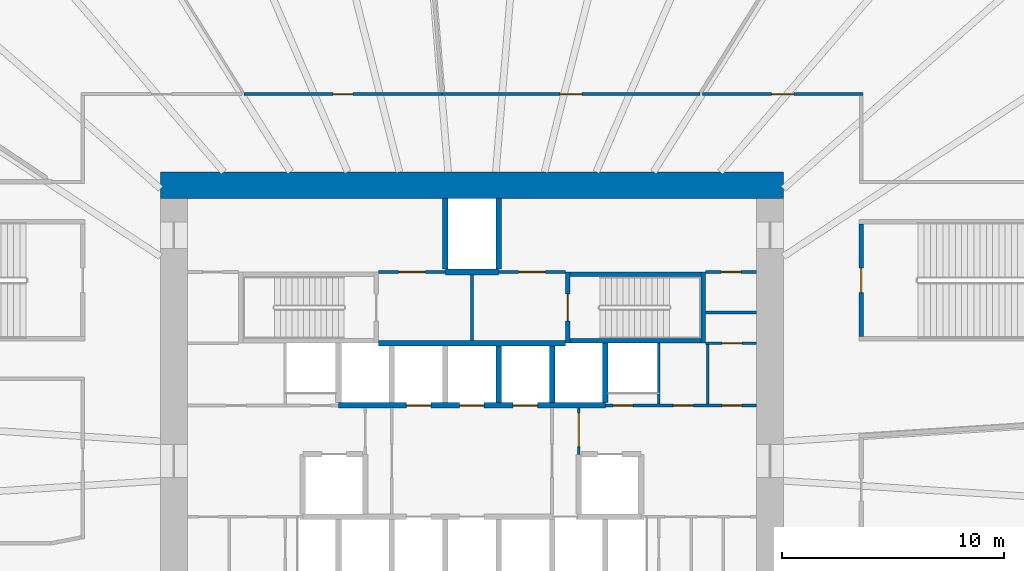
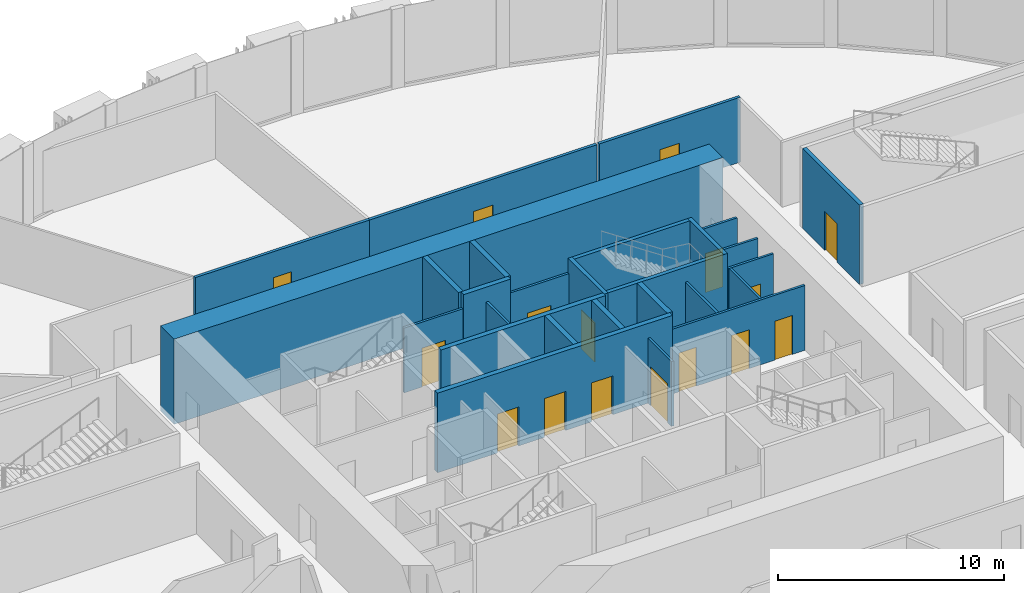
# One storey, part 9 of 21: 27 walls, 16 doors, 16 openings.
"""IFC4 building model written with IfcOpenShell, lengths in metres."""

from ifc_helpers import new_model, si_unit, direction, frame, frame_2d, origin, place, context, subcontext, project, spatial, rectangle, extrude, source, transform, mapped, material, layer, layer_set, type_object, element, fill, save


model = new_model("IFC4")

# Units and contexts
model_context = context("Model", 3, precision=1e-05, world=origin(), true_north=direction((0.0, 1.0)))
body_context = subcontext(model_context, "Body", "Model", "MODEL_VIEW")
ifc_project = project(units=[si_unit("LENGTHUNIT", "METRE"), si_unit("AREAUNIT", "SQUARE_METRE"), si_unit("VOLUMEUNIT", "CUBIC_METRE"), si_unit("PLANEANGLEUNIT", "RADIAN"), si_unit("MASSUNIT", "GRAM", prefix="KILO")], contexts=[model_context])

# Site, building, storey
site_placement = place(None, origin())
site = spatial("IfcSite", under=ifc_project, at=site_placement, CompositionType="ELEMENT")
building_placement = place(site_placement, origin())
building = spatial("IfcBuilding", under=site, at=building_placement, Name="Embergate Tower", CompositionType="ELEMENT")
storey_placement = place(building_placement, frame((0.0, 0.0, 33.5)))
storey = spatial("IfcBuildingStorey", under=building, at=storey_placement, Name="L04", CompositionType="ELEMENT", Elevation=33.5)

# Walls
ifc_material_1 = material(Name="Concrete C80", Category="concrete")
ifc_layer_1 = layer(ifc_material_1, 1.199951171875)
ifc_layer_set_1 = layer_set([ifc_layer_1], Name="Concrete C80")
wall_type_1 = type_object("IfcWallType", Name="Core outer wall C80 1200", PredefinedType="SHEAR", material=ifc_layer_set_1)
shared_shape_1 = source(origin(), body_context, "Body", "SweptSolid", [
    extrude(rectangle(XDim=28.0, YDim=1.199951171875, at=frame_2d((14.0, 0.0))), origin(), (0.0, 0.0, 1.0), 4.60009765625),
])
wall_1_placement = place(storey_placement, frame((-14.0, 12.39990234375, -0.300048828125), z_axis=(0.0, 0.0, 1.0), x_axis=(1.0, 0.0, 0.0)))
element("IfcWall", 1, at=wall_1_placement, inside=storey, type_object=wall_type_1, Name="CW-L04-N", PredefinedType="SHEAR", context=body_context, shape_type="MappedRepresentation", body=[
    mapped(shared_shape_1, transform((0.0, 0.0, 0.0))),
])
ifc_material_2 = material(Name="Concrete C50", Category="concrete")
ifc_layer_2 = layer(ifc_material_2, 0.25)
ifc_layer_set_2 = layer_set([ifc_layer_2], Name="Concrete C50")
wall_type_2 = type_object("IfcWallType", Name="Hoistway wall reinforced concrete 250", PredefinedType="SHEAR", material=ifc_layer_set_2)
shared_shape_2 = source(origin(), body_context, "Body", "SweptSolid", [
    extrude(rectangle(XDim=2.675048828125, YDim=0.25, at=frame_2d((1.33740234375, 0.0))), origin(), (0.0, 0.0, 1.0), 4.300048828125),
])
wall_2_placement = place(storey_placement, frame((6.0, 2.625, 0.0), z_axis=(0.0, 0.0, 1.0), x_axis=(0.0, 1.0, 0.0)))
element("IfcWall", 2, at=wall_2_placement, inside=storey, type_object=wall_type_2, Name="HW-1 wall", PredefinedType="SHEAR", context=body_context, shape_type="MappedRepresentation", body=[
    mapped(shared_shape_2, transform((0.0, 0.0, 0.0))),
])

# Wall, openings, doors
ifc_material_3 = material(Name="Core partition blockwork 120")
ifc_layer_3 = layer(ifc_material_3, 0.1201171875)
ifc_layer_set_3 = layer_set([ifc_layer_3], Name="Core partition blockwork 120")
wall_type_3 = type_object("IfcWallType", Name="Core partition blockwork 120", PredefinedType="PARTITIONING", material=ifc_layer_set_3)
shared_shape_3 = source(origin(), body_context, "Body", "SweptSolid", [
    extrude(rectangle(XDim=6.800048828125, YDim=0.1201171875, at=frame_2d((3.39990234375, 0.0))), origin(), (0.0, 0.0, 1.0), 3.5),
])
wall_3_placement = place(storey_placement, frame((6.0, 2.5, 0.0), z_axis=(0.0, 0.0, 1.0), x_axis=(1.0, 0.0, 0.0)))
wall_3 = element("IfcWall", 3, at=wall_3_placement, inside=storey, type_object=wall_type_3, Name="IP-3 wall", PredefinedType="PARTITIONING", context=body_context, shape_type="MappedRepresentation", body=[
    mapped(shared_shape_3, transform((0.0, 0.0, 0.0))),
])
shared_shape_4 = source(origin(), body_context, "Body", "SweptSolid", [
    extrude(rectangle(XDim=0.89990234375, YDim=2.10009765625, at=frame_2d((0.449951171875, 1.050048828125))), frame((0.0, 0.070068359375, 0.0), z_axis=(0.0, -1.0, 0.0), x_axis=(1.0, 0.0, 0.0)), (0.0, 0.0, 1.0), 0.14013671875),
])
opening_1_placement = place(wall_3_placement, frame((0.35009765625, 0.0, 0.0)))
opening_1 = element("IfcOpeningElement", 4, at=opening_1_placement, cuts=wall_3, Name="Opening ID-1", PredefinedType="OPENING", context=body_context, shape_type="MappedRepresentation", body=[
    mapped(shared_shape_4, transform((0.0, 0.0, 0.0))),
])
opening_2_placement = place(wall_3_placement, frame((3.050048828125, 0.0, 0.0)))
opening_2 = element("IfcOpeningElement", 5, at=opening_2_placement, cuts=wall_3, Name="Opening ID-1", PredefinedType="OPENING", context=body_context, shape_type="MappedRepresentation", body=[
    mapped(shared_shape_4, transform((0.0, 0.0, 0.0))),
])
opening_3_placement = place(wall_3_placement, frame((5.25, 0.0, 0.0)))
opening_3 = element("IfcOpeningElement", 6, at=opening_3_placement, cuts=wall_3, Name="Opening ID-1", PredefinedType="OPENING", context=body_context, shape_type="MappedRepresentation", body=[
    mapped(shared_shape_4, transform((0.0, 0.0, 0.0))),
])
ifc_material_4 = material(Name="Interior door 900")
door_type_1 = type_object("IfcDoorType", Name="Interior door 900", OperationType="SINGLE_SWING_LEFT", PredefinedType="DOOR", material=ifc_material_4)
shared_shape_5 = source(origin(), body_context, "Body", "SweptSolid", [
    extrude(rectangle(XDim=0.89990234375, YDim=2.10009765625, at=frame_2d((0.449951171875, 1.050048828125))), frame((0.0, 0.02490234375, 0.0), z_axis=(0.0, -1.0, 0.0), x_axis=(1.0, 0.0, 0.0)), (0.0, 0.0, 1.0), 0.050048828125),
])
door_1_placement = place(opening_1_placement, origin())
door_1 = element("IfcDoor", 7, at=door_1_placement, inside=storey, type_object=door_type_1, Name="ID-1 door", OperationType="SINGLE_SWING_RIGHT", OverallHeight=2.10009765625, OverallWidth=0.89990234375, PredefinedType="DOOR", context=body_context, shape_type="MappedRepresentation", body=[
    mapped(shared_shape_5, transform((0.0, 0.0, 0.0))),
])
fill(opening_1, door_1)
door_2_placement = place(opening_2_placement, origin())
door_2 = element("IfcDoor", 8, at=door_2_placement, inside=storey, type_object=door_type_1, Name="ID-1 door", OperationType="SINGLE_SWING_LEFT", OverallHeight=2.10009765625, OverallWidth=0.89990234375, PredefinedType="DOOR", context=body_context, shape_type="MappedRepresentation", body=[
    mapped(shared_shape_5, transform((0.0, 0.0, 0.0))),
])
fill(opening_2, door_2)
door_3_placement = place(opening_3_placement, origin())
door_3 = element("IfcDoor", 9, at=door_3_placement, inside=storey, type_object=door_type_1, Name="ID-1 door", OperationType="SINGLE_SWING_LEFT", OverallHeight=2.10009765625, OverallWidth=0.89990234375, PredefinedType="DOOR", context=body_context, shape_type="MappedRepresentation", body=[
    mapped(shared_shape_5, transform((0.0, 0.0, 0.0))),
])
fill(opening_3, door_3)

# Walls
ifc_layer_4 = layer(ifc_material_2, 0.199951171875)
ifc_layer_set_4 = layer_set([ifc_layer_4], Name="Concrete C50")
wall_type_4 = type_object("IfcWallType", Name="Stair enclosure wall reinforced concrete 250", PredefinedType="SHEAR", material=ifc_layer_set_4)
shared_shape_6 = source(origin(), body_context, "Body", "SweptSolid", [
    extrude(rectangle(XDim=6.300048828125, YDim=0.199951171875, at=frame_2d((3.14990234375, 0.0))), origin(), (0.0, 0.0, 1.0), 4.300048828125),
])
for number, where, z_axis, x_axis, name in (
    (10, (10.5, 5.39990234375, 0.0), (0.0, 0.0, 1.0), (-1.0, 0.0, 0.0), "SE-1 wall"),
    (11, (10.5, 8.39990234375, 0.0), (0.0, 0.0, 1.0), (-1.0, 0.0, 0.0), "SE-1 wall"),
):
    element("IfcWall", number, at=place(storey_placement, frame(where, z_axis=z_axis, x_axis=x_axis)), inside=storey, type_object=wall_type_4, Name=name, PredefinedType="SHEAR", context=body_context, shape_type="MappedRepresentation", body=[
        mapped(shared_shape_6, transform((0.0, 0.0, 0.0))),
    ])
shared_shape_7 = source(origin(), body_context, "Body", "SweptSolid", [
    extrude(rectangle(XDim=2.739990234375, YDim=0.1201171875, at=frame_2d((1.3701171875, 0.0))), origin(), (0.0, 0.0, 1.0), 3.5),
])
wall_4_placement = place(storey_placement, frame((8.39990234375, 2.56005859375, 0.0), z_axis=(0.0, 0.0, 1.0), x_axis=(0.0, 1.0, 0.0)))
element("IfcWall", 12, at=wall_4_placement, inside=storey, type_object=wall_type_3, Name="IP-3 wall", PredefinedType="PARTITIONING", context=body_context, shape_type="MappedRepresentation", body=[
    mapped(shared_shape_7, transform((0.0, 0.0, 0.0))),
])
shared_shape_8 = source(origin(), body_context, "Body", "SweptSolid", [
    extrude(rectangle(XDim=2.550048828125, YDim=0.25, at=frame_2d((1.27490234375, 0.0))), origin(), (0.0, 0.0, 1.0), 4.300048828125),
])
for number, where, z_axis, x_axis, name in (
    (13, (1.199951171875, 2.625, 0.0), (0.0, 0.0, 1.0), (0.0, 1.0, 0.0), "HW-1 wall"),
    (14, (3.60009765625, 2.625, 0.0), (0.0, 0.0, 1.0), (0.0, 1.0, 0.0), "HW-1 wall"),
):
    element("IfcWall", number, at=place(storey_placement, frame(where, z_axis=z_axis, x_axis=x_axis)), inside=storey, type_object=wall_type_2, Name=name, PredefinedType="SHEAR", context=body_context, shape_type="MappedRepresentation", body=[
        mapped(shared_shape_8, transform((0.0, 0.0, 0.0))),
    ])

# Wall, openings, doors
shared_shape_9 = source(origin(), body_context, "Body", "SweptSolid", [
    extrude(rectangle(XDim=12.0, YDim=0.25, at=frame_2d((6.0, 0.0))), origin(), (0.0, 0.0, 1.0), 4.300048828125),
])
wall_5_placement = place(storey_placement, frame((-6.0, 2.5, 0.0), z_axis=(0.0, 0.0, 1.0), x_axis=(1.0, 0.0, 0.0)))
wall_5 = element("IfcWall", 15, at=wall_5_placement, inside=storey, type_object=wall_type_2, Name="HW-1 wall", PredefinedType="SHEAR", context=body_context, shape_type="MappedRepresentation", body=[
    mapped(shared_shape_9, transform((0.0, 0.0, 0.0))),
])
shared_shape_10 = source(origin(), body_context, "Body", "SweptSolid", [
    extrude(rectangle(XDim=1.10009765625, YDim=2.10009765625, at=frame_2d((0.550048828125, 1.050048828125))), frame((0.0, 0.135009765625, 0.0), z_axis=(0.0, -1.0, 0.0), x_axis=(1.0, 0.0, 0.0)), (0.0, 0.0, 1.0), 0.27001953125),
])
opening_4_placement = place(wall_5_placement, frame((3.050048828125, 0.0, 0.0)))
opening_4 = element("IfcOpeningElement", 16, at=opening_4_placement, cuts=wall_5, Name="Opening LD", PredefinedType="OPENING", context=body_context, shape_type="MappedRepresentation", body=[
    mapped(shared_shape_10, transform((0.0, 0.0, 0.0))),
])
opening_5_placement = place(wall_5_placement, frame((5.449951171875, 0.0, 0.0)))
opening_5 = element("IfcOpeningElement", 17, at=opening_5_placement, cuts=wall_5, Name="Opening LD", PredefinedType="OPENING", context=body_context, shape_type="MappedRepresentation", body=[
    mapped(shared_shape_10, transform((0.0, 0.0, 0.0))),
])
opening_6_placement = place(wall_5_placement, frame((7.85009765625, 0.0, 0.0)))
opening_6 = element("IfcOpeningElement", 18, at=opening_6_placement, cuts=wall_5, Name="Opening LD", PredefinedType="OPENING", context=body_context, shape_type="MappedRepresentation", body=[
    mapped(shared_shape_10, transform((0.0, 0.0, 0.0))),
])
ifc_material_5 = material(Name="Landing door sliding 1100")
door_type_2 = type_object("IfcDoorType", Name="Landing door sliding 1100", OperationType="SLIDING_TO_LEFT", PredefinedType="DOOR", material=ifc_material_5)
shared_shape_11 = source(origin(), body_context, "Body", "SweptSolid", [
    extrude(rectangle(XDim=1.10009765625, YDim=2.10009765625, at=frame_2d((0.550048828125, 1.050048828125))), frame((0.0, 0.02490234375, 0.0), z_axis=(0.0, -1.0, 0.0), x_axis=(1.0, 0.0, 0.0)), (0.0, 0.0, 1.0), 0.050048828125),
])
door_4_placement = place(opening_4_placement, origin())
door_4 = element("IfcDoor", 19, at=door_4_placement, inside=storey, type_object=door_type_2, Name="LD door", OperationType="SLIDING_TO_LEFT", OverallHeight=2.10009765625, OverallWidth=1.10009765625, PredefinedType="DOOR", context=body_context, shape_type="MappedRepresentation", body=[
    mapped(shared_shape_11, transform((0.0, 0.0, 0.0))),
])
fill(opening_4, door_4)
door_5_placement = place(opening_5_placement, origin())
door_5 = element("IfcDoor", 20, at=door_5_placement, inside=storey, type_object=door_type_2, Name="LD door", OperationType="SLIDING_TO_LEFT", OverallHeight=2.10009765625, OverallWidth=1.10009765625, PredefinedType="DOOR", context=body_context, shape_type="MappedRepresentation", body=[
    mapped(shared_shape_11, transform((0.0, 0.0, 0.0))),
])
fill(opening_5, door_5)
door_6_placement = place(opening_6_placement, origin())
door_6 = element("IfcDoor", 21, at=door_6_placement, inside=storey, type_object=door_type_2, Name="LD door", OperationType="SLIDING_TO_LEFT", OverallHeight=2.10009765625, OverallWidth=1.10009765625, PredefinedType="DOOR", context=body_context, shape_type="MappedRepresentation", body=[
    mapped(shared_shape_11, transform((0.0, 0.0, 0.0))),
])
fill(opening_6, door_6)

# Wall
shared_shape_12 = source(origin(), body_context, "Body", "SweptSolid", [
    extrude(rectangle(XDim=8.39990234375, YDim=0.25, at=frame_2d((4.199951171875, 0.0))), origin(), (0.0, 0.0, 1.0), 4.300048828125),
])
wall_6_placement = place(storey_placement, frame((4.199951171875, 5.300048828125, 0.0), z_axis=(0.0, 0.0, 1.0), x_axis=(-1.0, 0.0, 0.0)))
element("IfcWall", 22, at=wall_6_placement, inside=storey, type_object=wall_type_2, Name="HW-1 wall", PredefinedType="SHEAR", context=body_context, shape_type="MappedRepresentation", body=[
    mapped(shared_shape_12, transform((0.0, 0.0, 0.0))),
])

# Wall, opening, door
shared_shape_13 = source(origin(), body_context, "Body", "SweptSolid", [
    extrude(rectangle(XDim=2.074951171875, YDim=0.1201171875, at=frame_2d((1.03759765625, 0.0))), origin(), (0.0, 0.0, 1.0), 3.5),
])
wall_7_placement = place(storey_placement, frame((4.800048828125, 0.300048828125, 0.0), z_axis=(0.0, 0.0, 1.0), x_axis=(0.0, 1.0, 0.0)))
wall_7 = element("IfcWall", 23, at=wall_7_placement, inside=storey, type_object=wall_type_3, Name="IP-3 wall", PredefinedType="PARTITIONING", context=body_context, shape_type="MappedRepresentation", body=[
    mapped(shared_shape_13, transform((0.0, 0.0, 0.0))),
])
shared_shape_14 = source(origin(), body_context, "Body", "SweptSolid", [
    extrude(rectangle(XDim=1.5, YDim=2.10009765625, at=frame_2d((0.75, 1.050048828125))), frame((0.0, 0.070068359375, 0.0), z_axis=(0.0, -1.0, 0.0), x_axis=(1.0, 0.0, 0.0)), (0.0, 0.0, 1.0), 0.14013671875),
])
opening_7_placement = place(wall_7_placement, frame((0.35009765625, 0.0, 0.0)))
opening_7 = element("IfcOpeningElement", 24, at=opening_7_placement, cuts=wall_7, Name="Opening IF-3", PredefinedType="OPENING", context=body_context, shape_type="MappedRepresentation", body=[
    mapped(shared_shape_14, transform((0.0, 0.0, 0.0))),
])
ifc_material_6 = material(Name="Lobby fire door pair 1500")
door_type_3 = type_object("IfcDoorType", Name="Lobby fire door pair 1500", OperationType="DOUBLE_DOOR_SINGLE_SWING", PredefinedType="DOOR", material=ifc_material_6)
shared_shape_15 = source(origin(), body_context, "Body", "SweptSolid", [
    extrude(rectangle(XDim=1.5, YDim=2.10009765625, at=frame_2d((0.75, 1.050048828125))), frame((0.0, 0.02490234375, 0.0), z_axis=(0.0, -1.0, 0.0), x_axis=(1.0, 0.0, 0.0)), (0.0, 0.0, 1.0), 0.050048828125),
])
door_7_placement = place(opening_7_placement, origin())
door_7 = element("IfcDoor", 25, at=door_7_placement, inside=storey, type_object=door_type_3, Name="IF-3 door", OperationType="DOUBLE_DOOR_SINGLE_SWING", OverallHeight=2.10009765625, OverallWidth=1.5, PredefinedType="DOOR", context=body_context, shape_type="MappedRepresentation", body=[
    mapped(shared_shape_15, transform((0.0, 0.0, 0.0))),
])
fill(opening_7, door_7)

shared_shape_16 = source(origin(), body_context, "Body", "SweptSolid", [
    extrude(rectangle(XDim=3.199951171875, YDim=0.199951171875, at=frame_2d((1.60009765625, 0.0))), origin(), (0.0, 0.0, 1.0), 4.300048828125),
])
wall_8_placement = place(storey_placement, frame((4.300048828125, 8.5, 0.0), z_axis=(0.0, 0.0, 1.0), x_axis=(0.0, -1.0, 0.0)))
wall_8 = element("IfcWall", 26, at=wall_8_placement, inside=storey, type_object=wall_type_4, Name="SE-1 wall", PredefinedType="SHEAR", context=body_context, shape_type="MappedRepresentation", body=[
    mapped(shared_shape_16, transform((0.0, 0.0, 0.0))),
])
shared_shape_17 = source(origin(), body_context, "Body", "SweptSolid", [
    extrude(rectangle(XDim=1.199951171875, YDim=2.10009765625, at=frame_2d((0.60009765625, 1.050048828125))), frame((0.0, 0.10986328125, 0.0), z_axis=(0.0, -1.0, 0.0), x_axis=(1.0, 0.0, 0.0)), (0.0, 0.0, 1.0), 0.219970703125),
])
opening_8_placement = place(wall_8_placement, frame((1.0, 0.0, 0.0)))
opening_8 = element("IfcOpeningElement", 27, at=opening_8_placement, cuts=wall_8, Name="Opening IF-2", PredefinedType="OPENING", context=body_context, shape_type="MappedRepresentation", body=[
    mapped(shared_shape_17, transform((0.0, 0.0, 0.0))),
])
ifc_material_7 = material(Name="Stair enclosure door 1200")
door_type_4 = type_object("IfcDoorType", Name="Stair enclosure door 1200", OperationType="SINGLE_SWING_LEFT", PredefinedType="DOOR", material=ifc_material_7)
shared_shape_18 = source(origin(), body_context, "Body", "SweptSolid", [
    extrude(rectangle(XDim=1.199951171875, YDim=2.10009765625, at=frame_2d((0.60009765625, 1.050048828125))), frame((0.0, 0.02490234375, 0.0), z_axis=(0.0, -1.0, 0.0), x_axis=(1.0, 0.0, 0.0)), (0.0, 0.0, 1.0), 0.050048828125),
])
door_8_placement = place(opening_8_placement, origin())
door_8 = element("IfcDoor", 28, at=door_8_placement, inside=storey, type_object=door_type_4, Name="IF-2 door", OperationType="SINGLE_SWING_RIGHT", OverallHeight=2.10009765625, OverallWidth=1.199951171875, PredefinedType="DOOR", context=body_context, shape_type="MappedRepresentation", body=[
    mapped(shared_shape_18, transform((0.0, 0.0, 0.0))),
])
fill(opening_8, door_8)

# Walls
wall_9_placement = place(storey_placement, frame((10.39990234375, 5.300048828125, 0.0), z_axis=(0.0, 0.0, 1.0), x_axis=(0.0, 1.0, 0.0)))
element("IfcWall", 29, at=wall_9_placement, inside=storey, type_object=wall_type_4, Name="SE-1 wall", PredefinedType="SHEAR", context=body_context, shape_type="MappedRepresentation", body=[
    mapped(shared_shape_16, transform((0.0, 0.0, 0.0))),
])
shared_shape_19 = source(origin(), body_context, "Body", "SweptSolid", [
    extrude(rectangle(XDim=2.949951171875, YDim=0.1201171875, at=frame_2d((1.47509765625, 0.0))), origin(), (0.0, 0.0, 1.0), 3.5),
])
wall_10_placement = place(storey_placement, frame((0.0, 5.425048828125, 0.0), z_axis=(0.0, 0.0, 1.0), x_axis=(0.0, 1.0, 0.0)))
element("IfcWall", 30, at=wall_10_placement, inside=storey, type_object=wall_type_3, Name="IP-3 wall", PredefinedType="PARTITIONING", context=body_context, shape_type="MappedRepresentation", body=[
    mapped(shared_shape_19, transform((0.0, 0.0, 0.0))),
])

# Wall, opening, door
shared_shape_20 = source(origin(), body_context, "Body", "SweptSolid", [
    extrude(rectangle(XDim=3.0, YDim=0.1201171875, at=frame_2d((1.5, 0.0))), origin(), (0.0, 0.0, 1.0), 3.5),
])
wall_11_placement = place(storey_placement, frame((-1.199951171875, 8.5, 0.0), z_axis=(0.0, 0.0, 1.0), x_axis=(-1.0, 0.0, 0.0)))
wall_11 = element("IfcWall", 31, at=wall_11_placement, inside=storey, type_object=wall_type_3, Name="IP-3 wall", PredefinedType="PARTITIONING", context=body_context, shape_type="MappedRepresentation", body=[
    mapped(shared_shape_20, transform((0.0, 0.0, 0.0))),
])
shared_shape_21 = source(origin(), body_context, "Body", "SweptSolid", [
    extrude(rectangle(XDim=1.199951171875, YDim=2.10009765625, at=frame_2d((0.60009765625, 1.050048828125))), frame((0.0, 0.070068359375, 0.0), z_axis=(0.0, -1.0, 0.0), x_axis=(1.0, 0.0, 0.0)), (0.0, 0.0, 1.0), 0.14013671875),
])
opening_9_placement = place(wall_11_placement, frame((0.89990234375, 0.0, 0.0)))
opening_9 = element("IfcOpeningElement", 32, at=opening_9_placement, cuts=wall_11, Name="Opening IF-3f", PredefinedType="OPENING", context=body_context, shape_type="MappedRepresentation", body=[
    mapped(shared_shape_21, transform((0.0, 0.0, 0.0))),
])
ifc_material_8 = material(Name="Lobby fire door pair 1200")
door_type_5 = type_object("IfcDoorType", Name="Lobby fire door pair 1200", OperationType="DOUBLE_DOOR_SINGLE_SWING", PredefinedType="DOOR", material=ifc_material_8)
door_9_placement = place(opening_9_placement, origin())
door_9 = element("IfcDoor", 33, at=door_9_placement, inside=storey, type_object=door_type_5, Name="IF-3 door", OperationType="DOUBLE_DOOR_SINGLE_SWING", OverallHeight=2.10009765625, OverallWidth=1.199951171875, PredefinedType="DOOR", context=body_context, shape_type="MappedRepresentation", body=[
    mapped(shared_shape_18, transform((0.0, 0.0, 0.0))),
])
fill(opening_9, door_9)

wall_12_placement = place(storey_placement, frame((4.199951171875, 8.5, 0.0), z_axis=(0.0, 0.0, 1.0), x_axis=(-1.0, 0.0, 0.0)))
wall_12 = element("IfcWall", 34, at=wall_12_placement, inside=storey, type_object=wall_type_3, Name="IP-3 wall", PredefinedType="PARTITIONING", context=body_context, shape_type="MappedRepresentation", body=[
    mapped(shared_shape_20, transform((0.0, 0.0, 0.0))),
])
opening_10_placement = place(wall_12_placement, frame((0.89990234375, 0.0, 0.0)))
opening_10 = element("IfcOpeningElement", 35, at=opening_10_placement, cuts=wall_12, Name="Opening IF-3f", PredefinedType="OPENING", context=body_context, shape_type="MappedRepresentation", body=[
    mapped(shared_shape_21, transform((0.0, 0.0, 0.0))),
])
door_10_placement = place(opening_10_placement, origin())
door_10 = element("IfcDoor", 36, at=door_10_placement, inside=storey, type_object=door_type_5, Name="IF-3 door", OperationType="DOUBLE_DOOR_SINGLE_SWING", OverallHeight=2.10009765625, OverallWidth=1.199951171875, PredefinedType="DOOR", context=body_context, shape_type="MappedRepresentation", body=[
    mapped(shared_shape_18, transform((0.0, 0.0, 0.0))),
])
fill(opening_10, door_10)

# Walls
shared_shape_22 = source(origin(), body_context, "Body", "SweptSolid", [
    extrude(rectangle(XDim=2.39990234375, YDim=0.25, at=frame_2d((1.199951171875, 0.0))), origin(), (0.0, 0.0, 1.0), 4.300048828125),
])
wall_13_placement = place(storey_placement, frame((1.199951171875, 8.5, 0.0), z_axis=(0.0, 0.0, 1.0), x_axis=(-1.0, 0.0, 0.0)))
element("IfcWall", 37, at=wall_13_placement, inside=storey, type_object=wall_type_2, Name="HW-1 wall", PredefinedType="SHEAR", context=body_context, shape_type="MappedRepresentation", body=[
    mapped(shared_shape_22, transform((0.0, 0.0, 0.0))),
])
shared_shape_23 = source(origin(), body_context, "Body", "SweptSolid", [
    extrude(rectangle(XDim=3.175048828125, YDim=0.25, at=frame_2d((1.58740234375, 0.0))), origin(), (0.0, 0.0, 1.0), 4.300048828125),
])
for number, where, z_axis, x_axis, name in (
    (38, (-1.199951171875, 8.625, 0.0), (0.0, 0.0, 1.0), (0.0, 1.0, 0.0), "HW-1 wall"),
    (39, (1.199951171875, 11.800048828125, 0.0), (0.0, 0.0, 1.0), (0.0, -1.0, 0.0), "HW-1 wall"),
):
    element("IfcWall", number, at=place(storey_placement, frame(where, z_axis=z_axis, x_axis=x_axis)), inside=storey, type_object=wall_type_2, Name=name, PredefinedType="SHEAR", context=body_context, shape_type="MappedRepresentation", body=[
        mapped(shared_shape_23, transform((0.0, 0.0, 0.0))),
    ])

# Wall, opening, door
shared_shape_24 = source(origin(), body_context, "Body", "SweptSolid", [
    extrude(rectangle(XDim=2.300048828125, YDim=0.1201171875, at=frame_2d((1.14990234375, 0.0))), origin(), (0.0, 0.0, 1.0), 3.5),
])
wall_14_placement = place(storey_placement, frame((10.5, 8.5, 0.0), z_axis=(0.0, 0.0, 1.0), x_axis=(1.0, 0.0, 0.0)))
wall_14 = element("IfcWall", 40, at=wall_14_placement, inside=storey, type_object=wall_type_3, Name="IP-3 wall", PredefinedType="PARTITIONING", context=body_context, shape_type="MappedRepresentation", body=[
    mapped(shared_shape_24, transform((0.0, 0.0, 0.0))),
])
opening_11_placement = place(wall_14_placement, frame((0.699951171875, 0.0, 0.0)))
opening_11 = element("IfcOpeningElement", 41, at=opening_11_placement, cuts=wall_14, Name="Opening ID-1", PredefinedType="OPENING", context=body_context, shape_type="MappedRepresentation", body=[
    mapped(shared_shape_4, transform((0.0, 0.0, 0.0))),
])
door_11_placement = place(opening_11_placement, origin())
door_11 = element("IfcDoor", 42, at=door_11_placement, inside=storey, type_object=door_type_1, Name="ID-1 door", OperationType="SINGLE_SWING_LEFT", OverallHeight=2.10009765625, OverallWidth=0.89990234375, PredefinedType="DOOR", context=body_context, shape_type="MappedRepresentation", body=[
    mapped(shared_shape_5, transform((0.0, 0.0, 0.0))),
])
fill(opening_11, door_11)

wall_15_placement = place(storey_placement, frame((12.800048828125, 5.300048828125, 0.0), z_axis=(0.0, 0.0, 1.0), x_axis=(-1.0, 0.0, 0.0)))
wall_15 = element("IfcWall", 43, at=wall_15_placement, inside=storey, type_object=wall_type_3, Name="IP-3 wall", PredefinedType="PARTITIONING", context=body_context, shape_type="MappedRepresentation", body=[
    mapped(shared_shape_24, transform((0.0, 0.0, 0.0))),
])
opening_12_placement = place(wall_15_placement, frame((0.64990234375, 0.0, 0.0)))
opening_12 = element("IfcOpeningElement", 44, at=opening_12_placement, cuts=wall_15, Name="Opening ID-1", PredefinedType="OPENING", context=body_context, shape_type="MappedRepresentation", body=[
    mapped(shared_shape_4, transform((0.0, 0.0, 0.0))),
])
door_12_placement = place(opening_12_placement, origin())
door_12 = element("IfcDoor", 45, at=door_12_placement, inside=storey, type_object=door_type_1, Name="ID-1 door", OperationType="SINGLE_SWING_LEFT", OverallHeight=2.10009765625, OverallWidth=0.89990234375, PredefinedType="DOOR", context=body_context, shape_type="MappedRepresentation", body=[
    mapped(shared_shape_5, transform((0.0, 0.0, 0.0))),
])
fill(opening_12, door_12)

# Walls
wall_16_placement = place(storey_placement, frame((12.800048828125, 6.676025390625, 0.0), z_axis=(0.0, 0.0, 1.0), x_axis=(-1.0, 0.0, 0.0)))
element("IfcWall", 46, at=wall_16_placement, inside=storey, type_object=wall_type_3, Name="IP-3 wall", PredefinedType="PARTITIONING", context=body_context, shape_type="MappedRepresentation", body=[
    mapped(shared_shape_24, transform((0.0, 0.0, 0.0))),
])
shared_shape_25 = source(origin(), body_context, "Body", "SweptSolid", [
    extrude(rectangle(XDim=2.679931640625, YDim=0.1201171875, at=frame_2d((1.33984375, 0.0))), origin(), (0.0, 0.0, 1.0), 3.5),
])
wall_17_placement = place(storey_placement, frame((10.60009765625, 2.56005859375, 0.0), z_axis=(0.0, 0.0, 1.0), x_axis=(0.0, 1.0, 0.0)))
element("IfcWall", 47, at=wall_17_placement, inside=storey, type_object=wall_type_3, Name="IP-3 wall", PredefinedType="PARTITIONING", context=body_context, shape_type="MappedRepresentation", body=[
    mapped(shared_shape_25, transform((0.0, 0.0, 0.0))),
])

# Wall, opening, door
ifc_material_9 = material(Name="Concrete C40", Category="concrete")
ifc_layer_5 = layer(ifc_material_9, 0.199951171875)
ifc_layer_set_5 = layer_set([ifc_layer_5], Name="Concrete C40")
wall_type_5 = type_object("IfcWallType", Name="Stair enclosure wall RC 200", PredefinedType="STANDARD", material=ifc_layer_set_5)
shared_shape_26 = source(origin(), body_context, "Body", "SweptSolid", [
    extrude(rectangle(XDim=5.0498046875, YDim=0.199951171875, at=frame_2d((2.52490234375, 0.0))), origin(), (0.0, 0.0, 1.0), 4.300048828125),
])
wall_18_placement = place(storey_placement, frame((17.5, 10.64990234375, 0.0), z_axis=(0.0, 0.0, 1.0), x_axis=(0.0, -1.0, 0.0)))
wall_18 = element("IfcWall", 48, at=wall_18_placement, inside=storey, type_object=wall_type_5, Name="Stair wall 043", PredefinedType="STANDARD", context=body_context, shape_type="MappedRepresentation", body=[
    mapped(shared_shape_26, transform((0.0, 0.0, 0.0))),
])
shared_shape_27 = source(origin(), body_context, "Body", "SweptSolid", [
    extrude(rectangle(XDim=1.10009765625, YDim=2.10009765625, at=frame_2d((0.550048828125, 1.050048828125))), frame((0.0, 0.10986328125, 0.0), z_axis=(0.0, -1.0, 0.0), x_axis=(1.0, 0.0, 0.0)), (0.0, 0.0, 1.0), 0.219970703125),
])
opening_13_placement = place(wall_18_placement, frame((1.97509765625, 0.0, 0.0)))
opening_13 = element("IfcOpeningElement", 49, at=opening_13_placement, cuts=wall_18, Name="Opening DS-100", PredefinedType="OPENING", context=body_context, shape_type="MappedRepresentation", body=[
    mapped(shared_shape_27, transform((0.0, 0.0, 0.0))),
])
ifc_material_10 = material(Name="Steel fire door leaf", Category="steel")
door_type_6 = type_object("IfcDoorType", Name="Fire door class B 1100x2100", OperationType="SINGLE_SWING_LEFT", PredefinedType="DOOR", material=ifc_material_10)
shared_shape_28 = source(origin(), body_context, "Body", "SweptSolid", [
    extrude(rectangle(XDim=1.10009765625, YDim=2.10009765625, at=frame_2d((0.550048828125, 1.050048828125))), frame((0.0, 0.02490234375, 0.0), z_axis=(0.0, -1.0, 0.0), x_axis=(1.0, 0.0, 0.0)), (0.0, 0.0, 1.0), 0.050048828125),
])
door_13_placement = place(opening_13_placement, origin())
door_13 = element("IfcDoor", 50, at=door_13_placement, inside=storey, type_object=door_type_6, Name="Door to Exit stair enclosure", OperationType="SINGLE_SWING_LEFT", OverallHeight=2.10009765625, OverallWidth=1.10009765625, PredefinedType="DOOR", context=body_context, shape_type="MappedRepresentation", body=[
    mapped(shared_shape_28, transform((0.0, 0.0, 0.0))),
])
fill(opening_13, door_13)

ifc_material_11 = material(Name="Plasterboard on steel stud", Category="steel")
ifc_layer_6 = layer(ifc_material_11, 0.14990234375)
ifc_layer_set_6 = layer_set([ifc_layer_6], Name="Plasterboard on steel stud")
wall_type_6 = type_object("IfcWallType", Name="Partition wall 150 board", PredefinedType="PARTITIONING", material=ifc_layer_set_6)
shared_shape_29 = source(origin(), body_context, "Body", "SweptSolid", [
    extrude(rectangle(XDim=7.2060546875, YDim=0.14990234375, at=frame_2d((3.60302734375, 0.0))), origin(), (0.0, 0.0, 1.0), 3.5),
])
wall_19_placement = place(storey_placement, frame((10.368896484375, 16.5, 0.0), z_axis=(0.0, 0.0, 1.0), x_axis=(1.0, 0.0, 0.0)))
wall_19 = element("IfcWall", 51, at=wall_19_placement, inside=storey, type_object=wall_type_6, Name="Partition 032", PredefinedType="PARTITIONING", context=body_context, shape_type="MappedRepresentation", body=[
    mapped(shared_shape_29, transform((0.0, 0.0, 0.0))),
])
shared_shape_30 = source(origin(), body_context, "Body", "SweptSolid", [
    extrude(rectangle(XDim=1.0, YDim=2.10009765625, at=frame_2d((0.5, 1.050048828125))), frame((0.0, 0.0849609375, 0.0), z_axis=(0.0, -1.0, 0.0), x_axis=(1.0, 0.0, 0.0)), (0.0, 0.0, 1.0), 0.169921875),
])
opening_14_placement = place(wall_19_placement, frame((3.10302734375, 0.0, 0.0)))
opening_14 = element("IfcOpeningElement", 52, at=opening_14_placement, cuts=wall_19, Name="Opening DS-086", PredefinedType="OPENING", context=body_context, shape_type="MappedRepresentation", body=[
    mapped(shared_shape_30, transform((0.0, 0.0, 0.0))),
])
ifc_material_12 = material(Name="Timber door leaf, steel frame", Category="steel")
door_type_7 = type_object("IfcDoorType", Name="Single door 1000x2100", OperationType="SINGLE_SWING_LEFT", PredefinedType="DOOR", material=ifc_material_12)
shared_shape_31 = source(origin(), body_context, "Body", "SweptSolid", [
    extrude(rectangle(XDim=1.0, YDim=2.10009765625, at=frame_2d((0.5, 1.050048828125))), frame((0.0, 0.02490234375, 0.0), z_axis=(0.0, -1.0, 0.0), x_axis=(1.0, 0.0, 0.0)), (0.0, 0.0, 1.0), 0.050048828125),
])
door_14_placement = place(opening_14_placement, origin())
door_14 = element("IfcDoor", 53, at=door_14_placement, inside=storey, type_object=door_type_7, Name="Door to Treatment plant room", OperationType="SINGLE_SWING_LEFT", OverallHeight=2.10009765625, OverallWidth=1.0, PredefinedType="DOOR", context=body_context, shape_type="MappedRepresentation", body=[
    mapped(shared_shape_31, transform((0.0, 0.0, 0.0))),
])
fill(opening_14, door_14)

shared_shape_32 = source(origin(), body_context, "Body", "SweptSolid", [
    extrude(rectangle(XDim=8.89990234375, YDim=0.14990234375, at=frame_2d((4.449951171875, 0.0))), origin(), (0.0, 0.0, 1.0), 3.5),
])
wall_20_placement = place(storey_placement, frame((-10.2490234375, 16.5, 0.0), z_axis=(0.0, 0.0, 1.0), x_axis=(1.0, 0.0, 0.0)))
wall_20 = element("IfcWall", 54, at=wall_20_placement, inside=storey, type_object=wall_type_6, Name="Partition 025", PredefinedType="PARTITIONING", context=body_context, shape_type="MappedRepresentation", body=[
    mapped(shared_shape_32, transform((0.0, 0.0, 0.0))),
])
shared_shape_33 = source(origin(), body_context, "Body", "SweptSolid", [
    extrude(rectangle(XDim=0.89990234375, YDim=2.10009765625, at=frame_2d((0.449951171875, 1.050048828125))), frame((0.0, 0.0849609375, 0.0), z_axis=(0.0, -1.0, 0.0), x_axis=(1.0, 0.0, 0.0)), (0.0, 0.0, 1.0), 0.169921875),
])
opening_15_placement = place(wall_20_placement, frame((4.0, 0.0, 0.0)))
opening_15 = element("IfcOpeningElement", 55, at=opening_15_placement, cuts=wall_20, Name="Opening DS-088", PredefinedType="OPENING", context=body_context, shape_type="MappedRepresentation", body=[
    mapped(shared_shape_33, transform((0.0, 0.0, 0.0))),
])
door_type_8 = type_object("IfcDoorType", Name="Single door 900x2100", OperationType="SINGLE_SWING_LEFT", PredefinedType="DOOR", material=ifc_material_12)
shared_shape_34 = source(origin(), body_context, "Body", "SweptSolid", [
    extrude(rectangle(XDim=0.89990234375, YDim=2.10009765625, at=frame_2d((0.449951171875, 1.050048828125))), frame((0.0, 0.02490234375, 0.0), z_axis=(0.0, -1.0, 0.0), x_axis=(1.0, 0.0, 0.0)), (0.0, 0.0, 1.0), 0.050048828125),
])
door_15_placement = place(opening_15_placement, origin())
door_15 = element("IfcDoor", 56, at=door_15_placement, inside=storey, type_object=door_type_8, Name="Door to Spa treatment room", OperationType="SINGLE_SWING_LEFT", OverallHeight=2.10009765625, OverallWidth=0.89990234375, PredefinedType="DOOR", context=body_context, shape_type="MappedRepresentation", body=[
    mapped(shared_shape_34, transform((0.0, 0.0, 0.0))),
])
fill(opening_15, door_15)

shared_shape_35 = source(origin(), body_context, "Body", "SweptSolid", [
    extrude(rectangle(XDim=11.59814453125, YDim=0.14990234375, at=frame_2d((5.799072265625, 0.0))), origin(), (0.0, 0.0, 1.0), 3.5),
])
wall_21_placement = place(storey_placement, frame((-1.34912109375, 16.5, 0.0), z_axis=(0.0, 0.0, 1.0), x_axis=(1.0, 0.0, 0.0)))
wall_21 = element("IfcWall", 57, at=wall_21_placement, inside=storey, type_object=wall_type_6, Name="Partition 028", PredefinedType="PARTITIONING", context=body_context, shape_type="MappedRepresentation", body=[
    mapped(shared_shape_35, transform((0.0, 0.0, 0.0))),
])
opening_16_placement = place(wall_21_placement, frame((5.299072265625, 0.0, 0.0)))
opening_16 = element("IfcOpeningElement", 58, at=opening_16_placement, cuts=wall_21, Name="Opening DS-087", PredefinedType="OPENING", context=body_context, shape_type="MappedRepresentation", body=[
    mapped(shared_shape_30, transform((0.0, 0.0, 0.0))),
])
door_16_placement = place(opening_16_placement, origin())
door_16 = element("IfcDoor", 59, at=door_16_placement, inside=storey, type_object=door_type_7, Name="Door to Staff room", OperationType="SINGLE_SWING_LEFT", OverallHeight=2.10009765625, OverallWidth=1.0, PredefinedType="DOOR", context=body_context, shape_type="MappedRepresentation", body=[
    mapped(shared_shape_31, transform((0.0, 0.0, 0.0))),
])
fill(opening_16, door_16)

save(model, "model.ifc")
